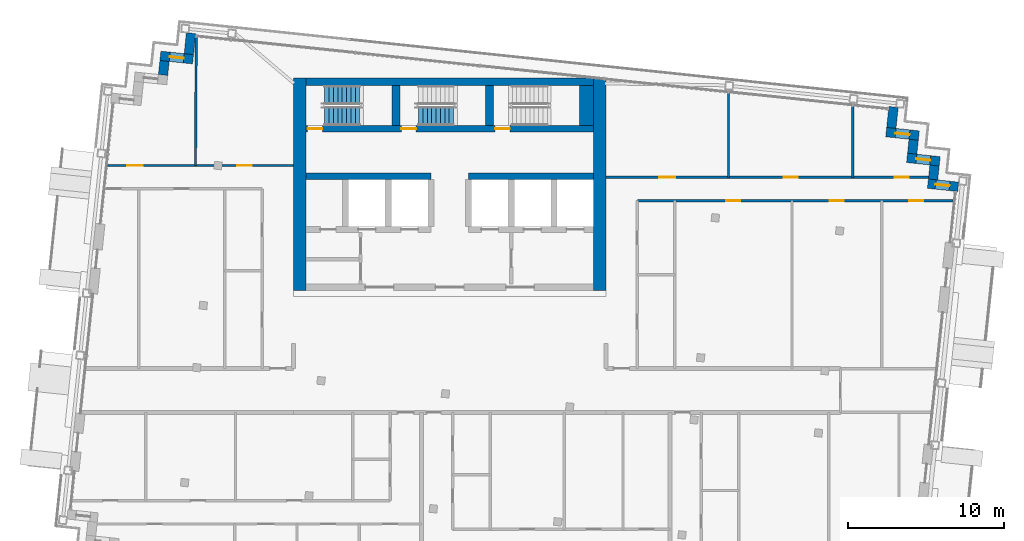
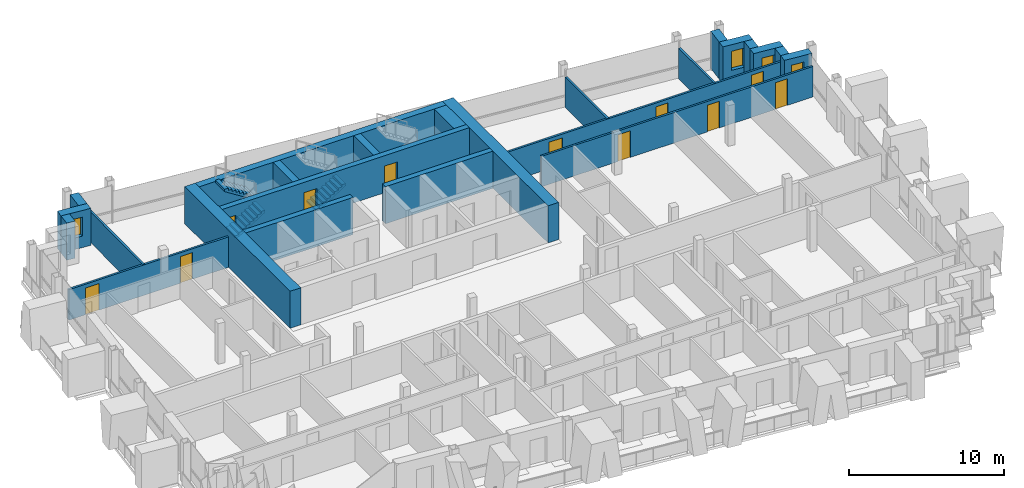
# One storey, part 12 of 17: 24 walls, 11 doors, 4 windows, 3 stair flights, 15 openings, 2 elements without a shape of their own.
"""IFC4 building model written with IfcOpenShell, lengths in metres."""

from ifc_helpers import new_model, si_unit, direction, frame, frame_2d, origin, place, context, subcontext, project, spatial, polyline, rectangle, outline, extrude, material, layer, layer_set, type_object, element, fill, aggregate, save


model = new_model("IFC4")

# Units and contexts
model_context = context("Model", 3, precision=1e-05, world=origin(), true_north=direction((0.0, 1.0)))
body_context = subcontext(model_context, "Body", "Model", "MODEL_VIEW")
ifc_project = project(units=[si_unit("LENGTHUNIT", "METRE"), si_unit("AREAUNIT", "SQUARE_METRE"), si_unit("VOLUMEUNIT", "CUBIC_METRE"), si_unit("PLANEANGLEUNIT", "RADIAN"), si_unit("MASSUNIT", "GRAM", prefix="KILO")], contexts=[model_context])

# Site, building, storey
site_placement = place(None, origin())
site = spatial("IfcSite", under=ifc_project, at=site_placement, CompositionType="ELEMENT")
building_placement = place(site_placement, origin())
building = spatial("IfcBuilding", under=site, at=building_placement, Name="Vidyagriha Tower", CompositionType="ELEMENT")
storey_placement = place(building_placement, frame((0.0, 0.0, 262.699951171875)))
storey = spatial("IfcBuildingStorey", under=building, at=storey_placement, Name="L68", CompositionType="ELEMENT", Elevation=262.699951171875)

# Wall, opening, window
ifc_material_1 = material(Name="Precast concrete C40/50 with brick facing", Category="concrete")
ifc_layer_1 = layer(ifc_material_1, 0.60009765625)
ifc_layer_set_1 = layer_set([ifc_layer_1], Name="Precast concrete C40/50 with brick facing")
wall_type_1 = type_object("IfcWallType", Name="Brick-faced precast wall 600", PredefinedType="STANDARD", material=ifc_layer_set_1)
wall_1_placement = place(storey_placement, frame((32.536376953125, 13.03125, 0.0), z_axis=(0.0, 0.0, 1.0), x_axis=(-0.994534226826, 0.104411070641, 0.0)))
wall_1 = element("IfcWall", 1, at=wall_1_placement, inside=storey, type_object=wall_type_1, Name="Stepped corner wall L68 R01", PredefinedType="STANDARD", context=body_context, shape_type="SweptSolid", body=[
    extrude(rectangle(XDim=1.9501953125, YDim=0.60009765625, at=frame_2d((0.97509765625, 0.0))), origin(), (0.0, 0.0, 1.0), 2.920166015625),
])
opening_1_placement = place(wall_1_placement, frame((0.559814453125, 0.0, 0.89990234375)))
opening_1 = element("IfcOpeningElement", 2, at=opening_1_placement, cuts=wall_1, Name="Opening WN1", PredefinedType="OPENING", context=body_context, shape_type="SweptSolid", body=[
    extrude(rectangle(XDim=0.89990234375, YDim=1.5, at=frame_2d((0.449951171875, 0.75))), frame((0.0, 0.31005859375, 0.0), z_axis=(0.0, -1.0, 0.0), x_axis=(1.0, 0.0, 0.0)), (0.0, 0.0, 1.0), 0.6201171875),
])
ifc_material_2 = material(Name="Aluminium and glass window", Category="aluminium")
window_type = type_object("IfcWindowType", Name="Reveal window 900x1500", PartitioningType="NOTDEFINED", PredefinedType="WINDOW", material=ifc_material_2)
window_1_placement = place(opening_1_placement, origin())
window_1 = element("IfcWindow", 3, at=window_1_placement, inside=storey, type_object=window_type, Name="Reveal window L68 R01", OverallHeight=1.5, OverallWidth=0.89990234375, PartitioningType="SINGLE_PANEL", PredefinedType="WINDOW", context=body_context, shape_type="SweptSolid", body=[
    extrude(rectangle(XDim=0.89990234375, YDim=1.5, at=frame_2d((0.449951171875, 0.75))), frame((0.0, 0.030029296875, 0.0), z_axis=(0.0, -1.0, 0.0), x_axis=(1.0, 0.0, 0.0)), (0.0, 0.0, 1.0), 0.06005859375),
])
fill(opening_1, window_1)

# Wall
wall_2_placement = place(storey_placement, frame((30.9267578125, 13.501953125, 0.0), z_axis=(0.0, 0.0, 1.0), x_axis=(0.104416541099, 0.994533652495, 0.0)))
element("IfcWall", 4, at=wall_2_placement, inside=storey, type_object=wall_type_1, Name="Stepped corner wall L68 R02", PredefinedType="STANDARD", context=body_context, shape_type="SweptSolid", body=[
    extrude(rectangle(XDim=0.900146484375, YDim=0.60009765625, at=frame_2d((0.4501953125, 0.0))), origin(), (0.0, 0.0, 1.0), 2.920166015625),
])

# Wall, opening, window
wall_3_placement = place(storey_placement, frame((31.3505859375, 14.6640625, 0.0), z_axis=(0.0, 0.0, 1.0), x_axis=(-0.994523910136, 0.104509292252, 0.0)))
wall_3 = element("IfcWall", 5, at=wall_3_placement, inside=storey, type_object=wall_type_1, Name="Stepped corner wall L68 R03", PredefinedType="STANDARD", context=body_context, shape_type="SweptSolid", body=[
    extrude(rectangle(XDim=2.10009765625, YDim=0.60009765625, at=frame_2d((1.050048828125, 0.0))), origin(), (0.0, 0.0, 1.0), 2.920166015625),
])
opening_2_placement = place(wall_3_placement, frame((0.60009765625, 0.0, 0.89990234375)))
opening_2 = element("IfcOpeningElement", 6, at=opening_2_placement, cuts=wall_3, Name="Opening WN1", PredefinedType="OPENING", context=body_context, shape_type="SweptSolid", body=[
    extrude(rectangle(XDim=0.89990234375, YDim=1.5, at=frame_2d((0.449951171875, 0.75))), frame((0.0, 0.31005859375, 0.0), z_axis=(0.0, -1.0, 0.0), x_axis=(1.0, 0.0, 0.0)), (0.0, 0.0, 1.0), 0.6201171875),
])
window_2_placement = place(opening_2_placement, origin())
window_2 = element("IfcWindow", 7, at=window_2_placement, inside=storey, type_object=window_type, Name="Reveal window L68 R03", OverallHeight=1.5, OverallWidth=0.89990234375, PartitioningType="SINGLE_PANEL", PredefinedType="WINDOW", context=body_context, shape_type="SweptSolid", body=[
    extrude(rectangle(XDim=0.89990234375, YDim=1.5, at=frame_2d((0.449951171875, 0.75))), frame((0.0, 0.030029296875, 0.0), z_axis=(0.0, -1.0, 0.0), x_axis=(1.0, 0.0, 0.0)), (0.0, 0.0, 1.0), 0.06005859375),
])
fill(opening_2, window_2)

# Wall
wall_4_placement = place(storey_placement, frame((29.591796875, 15.150634765625, 0.0), z_axis=(0.0, 0.0, 1.0), x_axis=(0.104444712852, 0.994530694326, 0.0)))
element("IfcWall", 8, at=wall_4_placement, inside=storey, type_object=wall_type_1, Name="Stepped corner wall L68 R04", PredefinedType="STANDARD", context=body_context, shape_type="SweptSolid", body=[
    extrude(rectangle(XDim=0.89990234375, YDim=0.60009765625, at=frame_2d((0.449951171875, 0.0))), origin(), (0.0, 0.0, 1.0), 2.920166015625),
])

# Wall, opening, window
wall_5_placement = place(storey_placement, frame((30.015380859375, 16.3125, 0.0), z_axis=(0.0, 0.0, 1.0), x_axis=(-0.994510548187, 0.104636368175, 0.0)))
wall_5 = element("IfcWall", 9, at=wall_5_placement, inside=storey, type_object=wall_type_1, Name="Stepped corner wall L68 R05", PredefinedType="STANDARD", context=body_context, shape_type="SweptSolid", body=[
    extrude(rectangle(XDim=2.099853515625, YDim=0.60009765625, at=frame_2d((1.0498046875, 0.0))), origin(), (0.0, 0.0, 1.0), 2.920166015625),
])
opening_3_placement = place(wall_5_placement, frame((0.60009765625, 0.0, 0.89990234375)))
opening_3 = element("IfcOpeningElement", 10, at=opening_3_placement, cuts=wall_5, Name="Opening WN1", PredefinedType="OPENING", context=body_context, shape_type="SweptSolid", body=[
    extrude(rectangle(XDim=0.89990234375, YDim=1.5, at=frame_2d((0.449951171875, 0.75))), frame((0.0, 0.31005859375, 0.0), z_axis=(0.0, -1.0, 0.0), x_axis=(1.0, 0.0, 0.0)), (0.0, 0.0, 1.0), 0.6201171875),
])
window_3_placement = place(opening_3_placement, origin())
window_3 = element("IfcWindow", 11, at=window_3_placement, inside=storey, type_object=window_type, Name="Reveal window L68 R05", OverallHeight=1.5, OverallWidth=0.89990234375, PartitioningType="SINGLE_PANEL", PredefinedType="WINDOW", context=body_context, shape_type="SweptSolid", body=[
    extrude(rectangle(XDim=0.89990234375, YDim=1.5, at=frame_2d((0.449951171875, 0.75))), frame((0.0, 0.030029296875, 0.0), z_axis=(0.0, -1.0, 0.0), x_axis=(1.0, 0.0, 0.0)), (0.0, 0.0, 1.0), 0.06005859375),
])
fill(opening_3, window_3)

# Walls
wall_6_placement = place(storey_placement, frame((28.256591796875, 16.79931640625, 0.0), z_axis=(0.0, 0.0, 1.0), x_axis=(0.104534153452, 0.994521297289, 0.0)))
element("IfcWall", 12, at=wall_6_placement, inside=storey, type_object=wall_type_1, Name="Stepped corner wall L68 R06", PredefinedType="STANDARD", context=body_context, shape_type="SweptSolid", body=[
    extrude(rectangle(XDim=1.349853515625, YDim=0.60009765625, at=frame_2d((0.6748046875, 0.0))), origin(), (0.0, 0.0, 1.0), 2.920166015625),
])
wall_7_placement = place(storey_placement, frame((-16.5546875, 22.866455078125, 0.0), z_axis=(0.0, 0.0, 1.0), x_axis=(-0.104515354875, -0.994523273029, 0.0)))
element("IfcWall", 13, at=wall_7_placement, inside=storey, type_object=wall_type_1, Name="Stepped corner wall L68 R08", PredefinedType="STANDARD", context=body_context, shape_type="SweptSolid", body=[
    extrude(rectangle(XDim=1.35009765625, YDim=0.60009765625, at=frame_2d((0.675048828125, 0.0))), origin(), (0.0, 0.0, 1.0), 2.920166015625),
])

# Wall, opening, window
wall_8_placement = place(storey_placement, frame((-16.4287109375, 21.194091796875, 0.0), z_axis=(0.0, 0.0, 1.0), x_axis=(-0.994522640205, 0.104521376379, 0.0)))
wall_8 = element("IfcWall", 14, at=wall_8_placement, inside=storey, type_object=wall_type_1, Name="Stepped corner wall L68 R09", PredefinedType="STANDARD", context=body_context, shape_type="SweptSolid", body=[
    extrude(rectangle(XDim=2.099853515625, YDim=0.60009765625, at=frame_2d((1.0498046875, 0.0))), origin(), (0.0, 0.0, 1.0), 2.920166015625),
])
opening_4_placement = place(wall_8_placement, frame((0.599853515625, 0.0, 0.89990234375)))
opening_4 = element("IfcOpeningElement", 15, at=opening_4_placement, cuts=wall_8, Name="Opening WN1", PredefinedType="OPENING", context=body_context, shape_type="SweptSolid", body=[
    extrude(rectangle(XDim=0.89990234375, YDim=1.5, at=frame_2d((0.449951171875, 0.75))), frame((0.0, 0.31005859375, 0.0), z_axis=(0.0, -1.0, 0.0), x_axis=(1.0, 0.0, 0.0)), (0.0, 0.0, 1.0), 0.6201171875),
])
window_4_placement = place(opening_4_placement, origin())
window_4 = element("IfcWindow", 16, at=window_4_placement, inside=storey, type_object=window_type, Name="Reveal window L68 R09", OverallHeight=1.5, OverallWidth=0.89990234375, PartitioningType="SINGLE_PANEL", PredefinedType="WINDOW", context=body_context, shape_type="SweptSolid", body=[
    extrude(rectangle(XDim=0.89990234375, YDim=1.5, at=frame_2d((0.449951171875, 0.75))), frame((0.0, 0.030029296875, 0.0), z_axis=(0.0, -1.0, 0.0), x_axis=(1.0, 0.0, 0.0)), (0.0, 0.0, 1.0), 0.06005859375),
])
fill(opening_4, window_4)

# Walls
wall_9_placement = place(storey_placement, frame((-18.250244140625, 21.083984375, 0.0), z_axis=(0.0, 0.0, 1.0), x_axis=(-0.104416541099, -0.994533652495, 0.0)))
element("IfcWall", 17, at=wall_9_placement, inside=storey, type_object=wall_type_1, Name="Stepped corner wall L68 R10", PredefinedType="STANDARD", context=body_context, shape_type="SweptSolid", body=[
    extrude(rectangle(XDim=0.900146484375, YDim=0.60009765625, at=frame_2d((0.4501953125, 0.0))), origin(), (0.0, 0.0, 1.0), 2.920166015625),
])
ifc_material_3 = material(Name="Concrete C60/75", Category="concrete")
ifc_layer_2 = layer(ifc_material_3, 0.39990234375)
ifc_layer_set_2 = layer_set([ifc_layer_2], Name="Concrete C60/75")
wall_type_2 = type_object("IfcWallType", Name="Core shear wall 400 mm", PredefinedType="SHEAR", material=ifc_layer_set_2)
for number, where, name in (
    (18, (-9.199951171875, 13.699951171875, 0.0), "Core row N rear wall"),
    (19, (1.199951171875, 13.699951171875, 0.0), "Core row N rear wall"),
):
    element("IfcWall", number, at=place(storey_placement, frame(where)), inside=storey, type_object=wall_type_2, Name=name, PredefinedType="SHEAR", context=body_context, shape_type="SweptSolid", body=[
        extrude(rectangle(XDim=8.0, YDim=0.39990234375, at=frame_2d((4.0, 0.0))), origin(), (0.0, 0.0, 1.0), 2.920166015625),
    ])

# Wall, openings, doors
wall_10_placement = place(storey_placement, frame((-9.199951171875, 16.75, 0.0)))
wall_10 = element("IfcWall", 20, at=wall_10_placement, inside=storey, type_object=wall_type_2, Name="Stair front wall", PredefinedType="SHEAR", context=body_context, shape_type="SweptSolid", body=[
    extrude(rectangle(XDim=18.39990234375, YDim=0.39990234375, at=frame_2d((9.199951171875, 0.0))), origin(), (0.0, 0.0, 1.0), 2.920166015625),
])
opening_5_placement = place(wall_10_placement, frame((0.10009765625, 0.0, 0.0)))
opening_5 = element("IfcOpeningElement", 21, at=opening_5_placement, cuts=wall_10, Name="Opening D68-06", PredefinedType="OPENING", context=body_context, shape_type="SweptSolid", body=[
    extrude(rectangle(XDim=0.949951171875, YDim=2.10009765625, at=frame_2d((0.47509765625, 1.050048828125))), frame((0.0, 0.2099609375, 0.0), z_axis=(0.0, -1.0, 0.0), x_axis=(1.0, 0.0, 0.0)), (0.0, 0.0, 1.0), 0.419921875),
])
opening_6_placement = place(wall_10_placement, frame((6.10009765625, 0.0, 0.0)))
opening_6 = element("IfcOpeningElement", 22, at=opening_6_placement, cuts=wall_10, Name="Opening D68-07", PredefinedType="OPENING", context=body_context, shape_type="SweptSolid", body=[
    extrude(rectangle(XDim=0.949951171875, YDim=2.10009765625, at=frame_2d((0.47509765625, 1.050048828125))), frame((0.0, 0.2099609375, 0.0), z_axis=(0.0, -1.0, 0.0), x_axis=(1.0, 0.0, 0.0)), (0.0, 0.0, 1.0), 0.419921875),
])
opening_7_placement = place(wall_10_placement, frame((12.10009765625, 0.0, 0.0)))
opening_7 = element("IfcOpeningElement", 23, at=opening_7_placement, cuts=wall_10, Name="Opening D68-08", PredefinedType="OPENING", context=body_context, shape_type="SweptSolid", body=[
    extrude(rectangle(XDim=0.949951171875, YDim=2.10009765625, at=frame_2d((0.47509765625, 1.050048828125))), frame((0.0, 0.2099609375, 0.0), z_axis=(0.0, -1.0, 0.0), x_axis=(1.0, 0.0, 0.0)), (0.0, 0.0, 1.0), 0.419921875),
])
ifc_material_4 = material(Name="Hollow metal door leaf")
door_type_1 = type_object("IfcDoorType", Name="Exit stair door 950 x 2100 mm EI 90", OperationType="NOTDEFINED", PredefinedType="DOOR", material=ifc_material_4)
door_1_placement = place(opening_5_placement, origin())
door_1 = element("IfcDoor", 24, at=door_1_placement, inside=storey, type_object=door_type_1, Name="Stair door ST1 L68", OperationType="SINGLE_SWING_LEFT", OverallHeight=2.10009765625, OverallWidth=0.949951171875, PredefinedType="DOOR", context=body_context, shape_type="SweptSolid", body=[
    extrude(rectangle(XDim=0.949951171875, YDim=2.10009765625, at=frame_2d((0.47509765625, 1.050048828125))), frame((0.0, 0.02490234375, 0.0), z_axis=(0.0, -1.0, 0.0), x_axis=(1.0, 0.0, 0.0)), (0.0, 0.0, 1.0), 0.050048828125),
])
fill(opening_5, door_1)
door_2_placement = place(opening_6_placement, origin())
door_2 = element("IfcDoor", 25, at=door_2_placement, inside=storey, type_object=door_type_1, Name="Stair door ST2 L68", OperationType="SINGLE_SWING_LEFT", OverallHeight=2.10009765625, OverallWidth=0.949951171875, PredefinedType="DOOR", context=body_context, shape_type="SweptSolid", body=[
    extrude(rectangle(XDim=0.949951171875, YDim=2.10009765625, at=frame_2d((0.47509765625, 1.050048828125))), frame((0.0, 0.02490234375, 0.0), z_axis=(0.0, -1.0, 0.0), x_axis=(1.0, 0.0, 0.0)), (0.0, 0.0, 1.0), 0.050048828125),
])
fill(opening_6, door_2)
door_3_placement = place(opening_7_placement, origin())
door_3 = element("IfcDoor", 26, at=door_3_placement, inside=storey, type_object=door_type_1, Name="Stair door ST3 L68", OperationType="SINGLE_SWING_LEFT", OverallHeight=2.10009765625, OverallWidth=0.949951171875, PredefinedType="DOOR", context=body_context, shape_type="SweptSolid", body=[
    extrude(rectangle(XDim=0.949951171875, YDim=2.10009765625, at=frame_2d((0.47509765625, 1.050048828125))), frame((0.0, 0.02490234375, 0.0), z_axis=(0.0, -1.0, 0.0), x_axis=(1.0, 0.0, 0.0)), (0.0, 0.0, 1.0), 0.050048828125),
])
fill(opening_7, door_3)

# Walls
ifc_material_5 = material(Name="Concrete C60/75", Category="concrete")
ifc_layer_3 = layer(ifc_material_5, 0.5)
ifc_layer_set_3 = layer_set([ifc_layer_3], Name="Concrete C60/75")
wall_type_3 = type_object("IfcWallType", Name="Core shear wall 500 mm", PredefinedType="SHEAR", material=ifc_layer_set_3)
wall_11_placement = place(storey_placement, frame((-9.199951171875, 19.75, 0.0)))
element("IfcWall", 27, at=wall_11_placement, inside=storey, type_object=wall_type_3, Name="Core north wall", PredefinedType="SHEAR", context=body_context, shape_type="SweptSolid", body=[
    extrude(rectangle(XDim=18.39990234375, YDim=0.5, at=frame_2d((9.199951171875, 0.0))), origin(), (0.0, 0.0, 1.0), 2.920166015625),
])
for number, where, z_axis, x_axis, name in (
    (28, (-3.449951171875, 16.949951171875, 0.0), (0.0, 0.0, 1.0), (0.0, 1.0, 0.0), "Stair partition wall 1"),
    (29, (2.550048828125, 16.949951171875, 0.0), (0.0, 0.0, 1.0), (0.0, 1.0, 0.0), "Stair partition wall 2"),
):
    element("IfcWall", number, at=place(storey_placement, frame(where, z_axis=z_axis, x_axis=x_axis)), inside=storey, type_object=wall_type_3, Name=name, PredefinedType="SHEAR", context=body_context, shape_type="SweptSolid", body=[
        extrude(rectangle(XDim=2.550048828125, YDim=0.5, at=frame_2d((1.27490234375, 0.0))), origin(), (0.0, 0.0, 1.0), 2.920166015625),
    ])
ifc_material_6 = material(Name="Concrete C60/75", Category="concrete")
ifc_layer_4 = layer(ifc_material_6, 0.800048828125)
ifc_layer_set_4 = layer_set([ifc_layer_4], Name="Concrete C60/75")
wall_type_4 = type_object("IfcWallType", Name="Core shear wall 800 mm", PredefinedType="SHEAR", material=ifc_layer_set_4)
for number, where, z_axis, x_axis, name in (
    (30, (-9.60009765625, 6.39990234375, 0.0), (0.0, 0.0, 1.0), (0.0, 1.0, 0.0), "Core west wall"),
    (31, (9.60009765625, 6.39990234375, 0.0), (0.0, 0.0, 1.0), (0.0, 1.0, 0.0), "Core east wall"),
):
    element("IfcWall", number, at=place(storey_placement, frame(where, z_axis=z_axis, x_axis=x_axis)), inside=storey, type_object=wall_type_4, Name=name, PredefinedType="SHEAR", context=body_context, shape_type="SweptSolid", body=[
        extrude(rectangle(XDim=13.60009765625, YDim=0.800048828125, at=frame_2d((6.800048828125, 0.0))), origin(), (0.0, 0.0, 1.0), 2.920166015625),
    ])
ifc_material_7 = material(Name="Concrete C60/75", Category="concrete")
ifc_layer_5 = layer(ifc_material_7, 0.89990234375)
ifc_layer_set_5 = layer_set([ifc_layer_5], Name="Concrete C60/75")
wall_type_5 = type_object("IfcWallType", Name="Core shear wall 900 mm", PredefinedType="SHEAR", material=ifc_layer_set_5)
wall_12_placement = place(storey_placement, frame((8.75, 16.949951171875, 0.0), z_axis=(0.0, 0.0, 1.0), x_axis=(0.0, 1.0, 0.0)))
element("IfcWall", 32, at=wall_12_placement, inside=storey, type_object=wall_type_5, Name="Stair end wall", PredefinedType="SHEAR", context=body_context, shape_type="SweptSolid", body=[
    extrude(rectangle(XDim=2.550048828125, YDim=0.89990234375, at=frame_2d((1.27490234375, 0.0))), origin(), (0.0, 0.0, 1.0), 2.920166015625),
])

# Wall, openings, doors
ifc_material_8 = material(Name="Gypsum board partition")
ifc_layer_6 = layer(ifc_material_8, 0.14990234375)
ifc_layer_set_6 = layer_set([ifc_layer_6], Name="Gypsum board partition")
wall_type_6 = type_object("IfcWallType", Name="Gypsum board partition 150", PredefinedType="PARTITIONING", material=ifc_layer_set_6)
wall_13_placement = place(storey_placement, frame((-21.889892578125, 14.39990234375, 0.0)))
wall_13 = element("IfcWall", 33, at=wall_13_placement, inside=storey, type_object=wall_type_6, Name="Wall all-L68-w076", PredefinedType="PARTITIONING", context=body_context, shape_type="SweptSolid", body=[
    extrude(rectangle(XDim=11.889892578125, YDim=0.14990234375, at=frame_2d((5.94482421875, 0.0))), origin(), (0.0, 0.0, 1.0), 2.400146484375),
])
opening_8_placement = place(wall_13_placement, frame((1.259765625, 0.0, 0.0)))
opening_8 = element("IfcOpeningElement", 34, at=opening_8_placement, cuts=wall_13, Name="Opening D68-45", PredefinedType="OPENING", context=body_context, shape_type="SweptSolid", body=[
    extrude(rectangle(XDim=1.0, YDim=2.10009765625, at=frame_2d((0.5, 1.050048828125))), frame((0.0, 0.0849609375, 0.0), z_axis=(0.0, -1.0, 0.0), x_axis=(1.0, 0.0, 0.0)), (0.0, 0.0, 1.0), 0.169921875),
])
opening_9_placement = place(wall_13_placement, frame((8.3037109375, 0.0, 0.0)))
opening_9 = element("IfcOpeningElement", 35, at=opening_9_placement, cuts=wall_13, Name="Opening D68-46", PredefinedType="OPENING", context=body_context, shape_type="SweptSolid", body=[
    extrude(rectangle(XDim=0.89990234375, YDim=2.10009765625, at=frame_2d((0.449951171875, 1.050048828125))), frame((0.0, 0.0849609375, 0.0), z_axis=(0.0, -1.0, 0.0), x_axis=(1.0, 0.0, 0.0)), (0.0, 0.0, 1.0), 0.169921875),
])
ifc_material_9 = material(Name="Timber door leaf", Category="wood")
door_type_2 = type_object("IfcDoorType", Name="Room door 1000x2100", OperationType="NOTDEFINED", PredefinedType="DOOR", material=ifc_material_9)
door_4_placement = place(opening_8_placement, origin())
door_4 = element("IfcDoor", 36, at=door_4_placement, inside=storey, type_object=door_type_2, Name="Door D68-45", OperationType="SINGLE_SWING_LEFT", OverallHeight=2.10009765625, OverallWidth=1.0, PredefinedType="DOOR", context=body_context, shape_type="SweptSolid", body=[
    extrude(rectangle(XDim=1.0, YDim=2.10009765625, at=frame_2d((0.5, 1.050048828125))), frame((0.0, 0.02490234375, 0.0), z_axis=(0.0, -1.0, 0.0), x_axis=(1.0, 0.0, 0.0)), (0.0, 0.0, 1.0), 0.050048828125),
])
fill(opening_8, door_4)
ifc_material_10 = material(Name="Timber door leaf", Category="wood")
door_type_3 = type_object("IfcDoorType", Name="Room door 900x2100", OperationType="NOTDEFINED", PredefinedType="DOOR", material=ifc_material_10)
door_5_placement = place(opening_9_placement, origin())
door_5 = element("IfcDoor", 37, at=door_5_placement, inside=storey, type_object=door_type_3, Name="Door D68-46", OperationType="SINGLE_SWING_RIGHT", OverallHeight=2.10009765625, OverallWidth=0.89990234375, PredefinedType="DOOR", context=body_context, shape_type="SweptSolid", body=[
    extrude(rectangle(XDim=0.89990234375, YDim=2.10009765625, at=frame_2d((0.449951171875, 1.050048828125))), frame((0.0, 0.02490234375, 0.0), z_axis=(0.0, -1.0, 0.0), x_axis=(1.0, 0.0, 0.0)), (0.0, 0.0, 1.0), 0.050048828125),
])
fill(opening_9, door_5)

# Wall
wall_14_placement = place(storey_placement, frame((-16.221923828125, 22.6103515625, 0.0), z_axis=(0.0, 0.0, 1.0), x_axis=(-0.006095634594, -0.999981421447, 0.0)))
element("IfcWall", 38, at=wall_14_placement, inside=storey, type_object=wall_type_6, Name="Wall all-L68-w079", PredefinedType="PARTITIONING", context=body_context, shape_type="SweptSolid", body=[
    extrude(rectangle(XDim=8.210693359375, YDim=0.14990234375, at=frame_2d((4.10546875, 0.0))), origin(), (0.0, 0.0, 1.0), 2.400146484375),
])

# Wall, openings, doors
wall_15_placement = place(storey_placement, frame((32.212646484375, 12.143310546875, 0.0), z_axis=(0.0, 0.0, 1.0), x_axis=(-1.0, 0.0, 0.0)))
wall_15 = element("IfcWall", 39, at=wall_15_placement, inside=storey, type_object=wall_type_6, Name="Wall all-L68-w089", PredefinedType="PARTITIONING", context=body_context, shape_type="SweptSolid", body=[
    extrude(rectangle(XDim=20.212646484375, YDim=0.14990234375, at=frame_2d((10.1064453125, 0.0))), origin(), (0.0, 0.0, 1.0), 2.400146484375),
])
opening_10_placement = place(wall_15_placement, frame((13.61279296875, 0.0, 0.0)))
opening_10 = element("IfcOpeningElement", 40, at=opening_10_placement, cuts=wall_15, Name="Opening D68-50", PredefinedType="OPENING", context=body_context, shape_type="SweptSolid", body=[
    extrude(rectangle(XDim=0.89990234375, YDim=2.10009765625, at=frame_2d((0.449951171875, 1.050048828125))), frame((0.0, 0.0849609375, 0.0), z_axis=(0.0, -1.0, 0.0), x_axis=(1.0, 0.0, 0.0)), (0.0, 0.0, 1.0), 0.169921875),
])
opening_11_placement = place(wall_15_placement, frame((6.98779296875, 0.0, 0.0)))
opening_11 = element("IfcOpeningElement", 41, at=opening_11_placement, cuts=wall_15, Name="Opening D68-51", PredefinedType="OPENING", context=body_context, shape_type="SweptSolid", body=[
    extrude(rectangle(XDim=0.89990234375, YDim=2.10009765625, at=frame_2d((0.449951171875, 1.050048828125))), frame((0.0, 0.0849609375, 0.0), z_axis=(0.0, -1.0, 0.0), x_axis=(1.0, 0.0, 0.0)), (0.0, 0.0, 1.0), 0.169921875),
])
opening_12_placement = place(wall_15_placement, frame((1.9091796875, 0.0, 0.0)))
opening_12 = element("IfcOpeningElement", 42, at=opening_12_placement, cuts=wall_15, Name="Opening D68-52", PredefinedType="OPENING", context=body_context, shape_type="SweptSolid", body=[
    extrude(rectangle(XDim=0.89990234375, YDim=2.10009765625, at=frame_2d((0.449951171875, 1.050048828125))), frame((0.0, 0.0849609375, 0.0), z_axis=(0.0, -1.0, 0.0), x_axis=(1.0, 0.0, 0.0)), (0.0, 0.0, 1.0), 0.169921875),
])
door_6_placement = place(opening_10_placement, origin())
door_6 = element("IfcDoor", 43, at=door_6_placement, inside=storey, type_object=door_type_3, Name="Door D68-50", OperationType="SINGLE_SWING_RIGHT", OverallHeight=2.10009765625, OverallWidth=0.89990234375, PredefinedType="DOOR", context=body_context, shape_type="SweptSolid", body=[
    extrude(rectangle(XDim=0.89990234375, YDim=2.10009765625, at=frame_2d((0.449951171875, 1.050048828125))), frame((0.0, 0.02490234375, 0.0), z_axis=(0.0, -1.0, 0.0), x_axis=(1.0, 0.0, 0.0)), (0.0, 0.0, 1.0), 0.050048828125),
])
fill(opening_10, door_6)
door_7_placement = place(opening_11_placement, origin())
door_7 = element("IfcDoor", 44, at=door_7_placement, inside=storey, type_object=door_type_3, Name="Door D68-51", OperationType="SINGLE_SWING_RIGHT", OverallHeight=2.10009765625, OverallWidth=0.89990234375, PredefinedType="DOOR", context=body_context, shape_type="SweptSolid", body=[
    extrude(rectangle(XDim=0.89990234375, YDim=2.10009765625, at=frame_2d((0.449951171875, 1.050048828125))), frame((0.0, 0.02490234375, 0.0), z_axis=(0.0, -1.0, 0.0), x_axis=(1.0, 0.0, 0.0)), (0.0, 0.0, 1.0), 0.050048828125),
])
fill(opening_11, door_7)
door_8_placement = place(opening_12_placement, origin())
door_8 = element("IfcDoor", 45, at=door_8_placement, inside=storey, type_object=door_type_3, Name="Door D68-52", OperationType="SINGLE_SWING_LEFT", OverallHeight=2.10009765625, OverallWidth=0.89990234375, PredefinedType="DOOR", context=body_context, shape_type="SweptSolid", body=[
    extrude(rectangle(XDim=0.89990234375, YDim=2.10009765625, at=frame_2d((0.449951171875, 1.050048828125))), frame((0.0, 0.02490234375, 0.0), z_axis=(0.0, -1.0, 0.0), x_axis=(1.0, 0.0, 0.0)), (0.0, 0.0, 1.0), 0.050048828125),
])
fill(opening_12, door_8)

wall_16_placement = place(storey_placement, frame((10.0, 13.643310546875, 0.0)))
wall_16 = element("IfcWall", 46, at=wall_16_placement, inside=storey, type_object=wall_type_6, Name="Wall all-L68-w093", PredefinedType="PARTITIONING", context=body_context, shape_type="SweptSolid", body=[
    extrude(rectangle(XDim=20.640869140625, YDim=0.14990234375, at=frame_2d((10.3203125, 0.0))), origin(), (0.0, 0.0, 1.0), 2.400146484375),
])
opening_13_placement = place(wall_16_placement, frame((3.420166015625, 0.0, 0.0)))
opening_13 = element("IfcOpeningElement", 47, at=opening_13_placement, cuts=wall_16, Name="Opening D68-53", PredefinedType="OPENING", context=body_context, shape_type="SweptSolid", body=[
    extrude(rectangle(XDim=1.0, YDim=2.10009765625, at=frame_2d((0.5, 1.050048828125))), frame((0.0, 0.0849609375, 0.0), z_axis=(0.0, -1.0, 0.0), x_axis=(1.0, 0.0, 0.0)), (0.0, 0.0, 1.0), 0.169921875),
])
opening_14_placement = place(wall_16_placement, frame((11.368408203125, 0.0, 0.0)))
opening_14 = element("IfcOpeningElement", 48, at=opening_14_placement, cuts=wall_16, Name="Opening D68-54", PredefinedType="OPENING", context=body_context, shape_type="SweptSolid", body=[
    extrude(rectangle(XDim=0.89990234375, YDim=2.10009765625, at=frame_2d((0.449951171875, 1.050048828125))), frame((0.0, 0.0849609375, 0.0), z_axis=(0.0, -1.0, 0.0), x_axis=(1.0, 0.0, 0.0)), (0.0, 0.0, 1.0), 0.169921875),
])
opening_15_placement = place(wall_16_placement, frame((18.476806640625, 0.0, 0.0)))
opening_15 = element("IfcOpeningElement", 49, at=opening_15_placement, cuts=wall_16, Name="Opening D68-55", PredefinedType="OPENING", context=body_context, shape_type="SweptSolid", body=[
    extrude(rectangle(XDim=0.89990234375, YDim=2.10009765625, at=frame_2d((0.449951171875, 1.050048828125))), frame((0.0, 0.0849609375, 0.0), z_axis=(0.0, -1.0, 0.0), x_axis=(1.0, 0.0, 0.0)), (0.0, 0.0, 1.0), 0.169921875),
])
door_9_placement = place(opening_13_placement, origin())
door_9 = element("IfcDoor", 50, at=door_9_placement, inside=storey, type_object=door_type_2, Name="Door D68-53", OperationType="SINGLE_SWING_RIGHT", OverallHeight=2.10009765625, OverallWidth=1.0, PredefinedType="DOOR", context=body_context, shape_type="SweptSolid", body=[
    extrude(rectangle(XDim=1.0, YDim=2.10009765625, at=frame_2d((0.5, 1.050048828125))), frame((0.0, 0.02490234375, 0.0), z_axis=(0.0, -1.0, 0.0), x_axis=(1.0, 0.0, 0.0)), (0.0, 0.0, 1.0), 0.050048828125),
])
fill(opening_13, door_9)
door_10_placement = place(opening_14_placement, origin())
door_10 = element("IfcDoor", 51, at=door_10_placement, inside=storey, type_object=door_type_3, Name="Door D68-54", OperationType="SINGLE_SWING_RIGHT", OverallHeight=2.10009765625, OverallWidth=0.89990234375, PredefinedType="DOOR", context=body_context, shape_type="SweptSolid", body=[
    extrude(rectangle(XDim=0.89990234375, YDim=2.10009765625, at=frame_2d((0.449951171875, 1.050048828125))), frame((0.0, 0.02490234375, 0.0), z_axis=(0.0, -1.0, 0.0), x_axis=(1.0, 0.0, 0.0)), (0.0, 0.0, 1.0), 0.050048828125),
])
fill(opening_14, door_10)
door_11_placement = place(opening_15_placement, origin())
door_11 = element("IfcDoor", 52, at=door_11_placement, inside=storey, type_object=door_type_3, Name="Door D68-55", OperationType="SINGLE_SWING_RIGHT", OverallHeight=2.10009765625, OverallWidth=0.89990234375, PredefinedType="DOOR", context=body_context, shape_type="SweptSolid", body=[
    extrude(rectangle(XDim=0.89990234375, YDim=2.10009765625, at=frame_2d((0.449951171875, 1.050048828125))), frame((0.0, 0.02490234375, 0.0), z_axis=(0.0, -1.0, 0.0), x_axis=(1.0, 0.0, 0.0)), (0.0, 0.0, 1.0), 0.050048828125),
])
fill(opening_15, door_11)

# Walls
wall_17_placement = place(storey_placement, frame((17.840087890625, 19.02099609375, 0.0), z_axis=(0.0, 0.0, 1.0), x_axis=(0.0, -1.0, 0.0)))
element("IfcWall", 53, at=wall_17_placement, inside=storey, type_object=wall_type_6, Name="Wall all-L68-w097", PredefinedType="PARTITIONING", context=body_context, shape_type="SweptSolid", body=[
    extrude(rectangle(XDim=5.377685546875, YDim=0.14990234375, at=frame_2d((2.68896484375, 0.0))), origin(), (0.0, 0.0, 1.0), 2.400146484375),
])
wall_18_placement = place(storey_placement, frame((25.79638671875, 18.184814453125, 0.0), z_axis=(0.0, 0.0, 1.0), x_axis=(0.0, -1.0, 0.0)))
element("IfcWall", 54, at=wall_18_placement, inside=storey, type_object=wall_type_6, Name="Wall all-L68-w098", PredefinedType="PARTITIONING", context=body_context, shape_type="SweptSolid", body=[
    extrude(rectangle(XDim=4.54150390625, YDim=0.14990234375, at=frame_2d((2.270751953125, 0.0))), origin(), (0.0, 0.0, 1.0), 2.400146484375),
])

# Stair, stair flights
ifc_material_11 = material(Name="Concrete C40/50", Category="concrete")
stair_type = type_object("IfcStairType", Name="Exit stair, half-turn, precast flights", PredefinedType="HALF_TURN_STAIR", material=ifc_material_11)
stair_1_placement = place(storey_placement, origin())
stair_1 = element("IfcStair", 55, at=stair_1_placement, inside=storey, type_object=stair_type, Name="L68 Exit Stair ST1", PredefinedType="HALF_TURN_STAIR")
ifc_material_12 = material(Name="Precast concrete C40/50", Category="concrete")
stair_flight_type = type_object("IfcStairFlightType", Name="Exit stair flight 1200 mm, precast", PredefinedType="STRAIGHT", material=ifc_material_12)
stair_flight_1_placement = place(storey_placement, frame((-8.0, 17.550048828125, 0.0)))
stair_flight_1 = element("IfcStairFlight", 56, at=stair_flight_1_placement, type_object=stair_flight_type, Name="ST1 flight 1", NumberOfRisers=9, NumberOfTreads=8, PredefinedType="STRAIGHT", RiserHeight=0.177777778, TreadLength=0.28, context=body_context, shape_type="SweptSolid", body=[
    extrude(outline(polyline([(0.0, 0.0), (0.0, 0.177734375), (0.280029296875, 0.177734375), (0.280029296875, 0.35546875), (0.56005859375, 0.35546875), (0.56005859375, 0.533447265625), (0.840087890625, 0.533447265625), (0.840087890625, 0.711181640625), (1.1201171875, 0.711181640625), (1.1201171875, 0.888916015625), (1.39990234375, 0.888916015625), (1.39990234375, 1.066650390625), (1.679931640625, 1.066650390625), (1.679931640625, 1.244384765625), (1.9599609375, 1.244384765625), (1.9599609375, 1.422119140625), (2.239990234375, 1.422119140625), (2.239990234375, 1.60009765625), (2.239990234375, 1.24462890625), (0.27978515625, 0.0), (0.0, 0.0)])), frame((0.0, 0.60009765625, 0.0), z_axis=(0.0, -1.0, 0.0), x_axis=(1.0, 0.0, 0.0)), (0.0, 0.0, 1.0), 1.199951171875),
])
stair_flight_2_placement = place(storey_placement, frame((-5.760009765625, 18.89990234375, 1.60009765625), z_axis=(0.0, 0.0, 1.0), x_axis=(-1.0, 0.0, 0.0)))
stair_flight_2 = element("IfcStairFlight", 57, at=stair_flight_2_placement, type_object=stair_flight_type, Name="ST1 flight 2", NumberOfRisers=9, NumberOfTreads=8, PredefinedType="STRAIGHT", RiserHeight=0.177777778, TreadLength=0.28, context=body_context, shape_type="SweptSolid", body=[
    extrude(outline(polyline([(0.0, 0.0), (0.0, 0.177734375), (0.280029296875, 0.177734375), (0.280029296875, 0.35546875), (0.56005859375, 0.35546875), (0.56005859375, 0.533447265625), (0.840087890625, 0.533447265625), (0.840087890625, 0.711181640625), (1.1201171875, 0.711181640625), (1.1201171875, 0.888916015625), (1.39990234375, 0.888916015625), (1.39990234375, 1.066650390625), (1.679931640625, 1.066650390625), (1.679931640625, 1.244384765625), (1.9599609375, 1.244384765625), (1.9599609375, 1.422119140625), (2.239990234375, 1.422119140625), (2.239990234375, 1.60009765625), (2.239990234375, 1.24462890625), (0.27978515625, 0.0), (0.0, 0.0)])), frame((0.0, 0.60009765625, 0.0), z_axis=(0.0, -1.0, 0.0), x_axis=(1.0, 0.0, 0.0)), (0.0, 0.0, 1.0), 1.199951171875),
])
aggregate(stair_1, [stair_flight_1, stair_flight_2])

# Stair, stair flight
stair_2_placement = place(storey_placement, origin())
stair_2 = element("IfcStair", 58, at=stair_2_placement, inside=storey, type_object=stair_type, Name="L68 Exit Stair ST2", PredefinedType="HALF_TURN_STAIR")
stair_flight_3_placement = place(storey_placement, frame((-2.0, 17.550048828125, 0.0)))
stair_flight_3 = element("IfcStairFlight", 59, at=stair_flight_3_placement, type_object=stair_flight_type, Name="ST2 flight 1", NumberOfRisers=9, NumberOfTreads=8, PredefinedType="STRAIGHT", RiserHeight=0.177777778, TreadLength=0.28, context=body_context, shape_type="SweptSolid", body=[
    extrude(outline(polyline([(0.0, 0.0), (0.0, 0.177734375), (0.280029296875, 0.177734375), (0.280029296875, 0.35546875), (0.56005859375, 0.35546875), (0.56005859375, 0.533447265625), (0.840087890625, 0.533447265625), (0.840087890625, 0.711181640625), (1.1201171875, 0.711181640625), (1.1201171875, 0.888916015625), (1.39990234375, 0.888916015625), (1.39990234375, 1.066650390625), (1.679931640625, 1.066650390625), (1.679931640625, 1.244384765625), (1.9599609375, 1.244384765625), (1.9599609375, 1.422119140625), (2.239990234375, 1.422119140625), (2.239990234375, 1.60009765625), (2.239990234375, 1.24462890625), (0.27978515625, 0.0), (0.0, 0.0)])), frame((0.0, 0.60009765625, 0.0), z_axis=(0.0, -1.0, 0.0), x_axis=(1.0, 0.0, 0.0)), (0.0, 0.0, 1.0), 1.199951171875),
])
aggregate(stair_2, [stair_flight_3])

save(model, "model.ifc")
